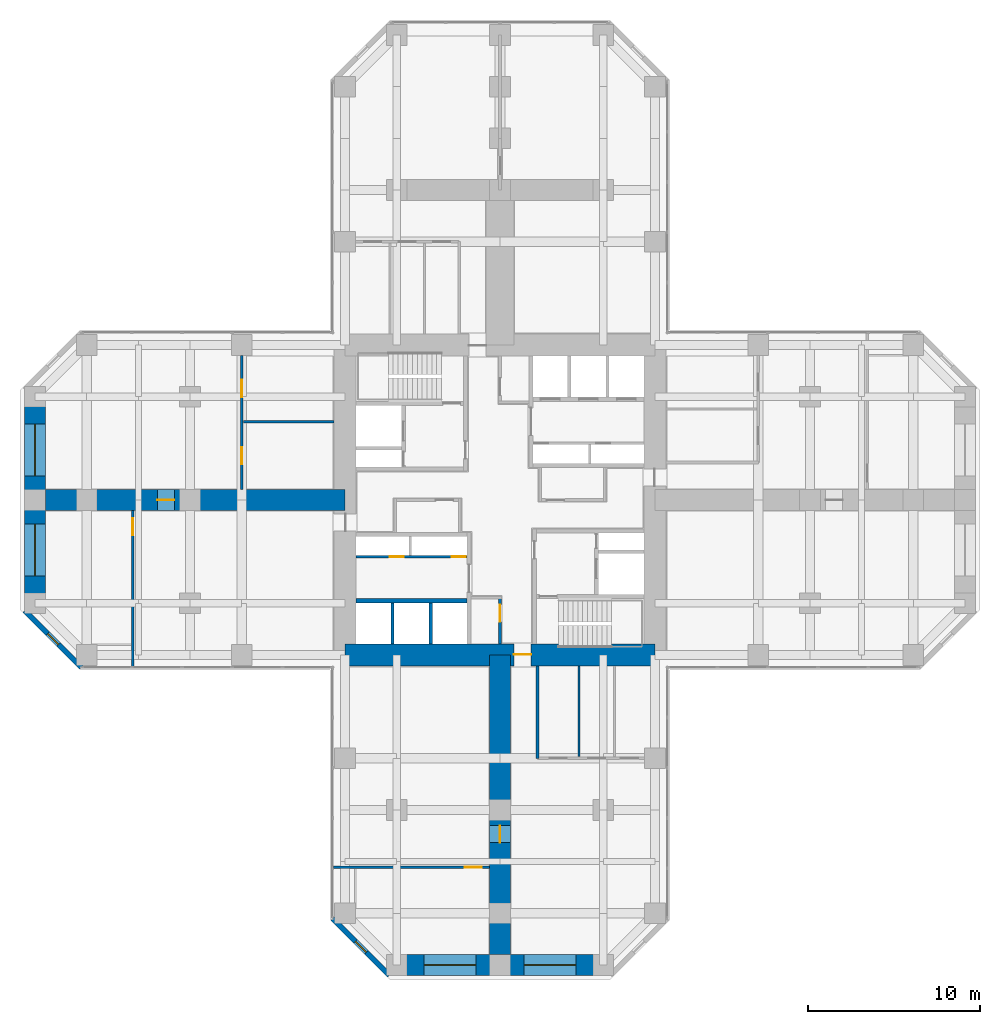
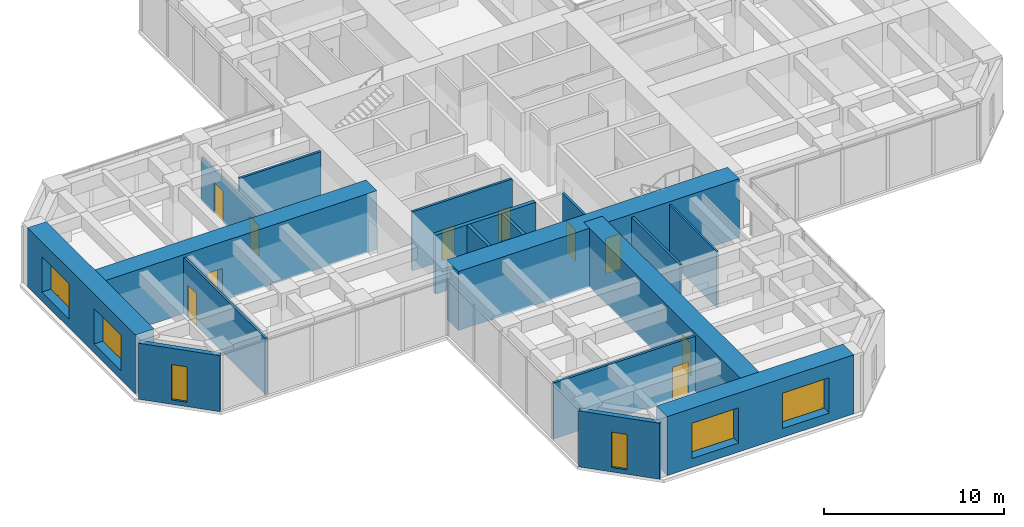
# One storey, part 8 of 12: 18 walls, 10 doors, 6 windows, 16 openings.
"""IFC4 building model written with IfcOpenShell, lengths in metres."""

from ifc_helpers import new_model, si_unit, direction, frame, frame_2d, origin, place, context, subcontext, project, spatial, rectangle, hollow_rectangle, extrude, material, layer, layer_set, constituent, constituent_set, type_object, element, fill, save


model = new_model("IFC4")

# Units and contexts
model_context = context("Model", 3, precision=1e-05, world=origin(), true_north=direction((0.0, 1.0)))
body_context = subcontext(model_context, "Body", "Model", "MODEL_VIEW")
ifc_project = project(units=[si_unit("LENGTHUNIT", "METRE"), si_unit("AREAUNIT", "SQUARE_METRE"), si_unit("VOLUMEUNIT", "CUBIC_METRE"), si_unit("PLANEANGLEUNIT", "RADIAN"), si_unit("MASSUNIT", "GRAM", prefix="KILO")], contexts=[model_context])

# Site, building, storey
site_placement = place(None, origin())
site = spatial("IfcSite", under=ifc_project, at=site_placement, CompositionType="ELEMENT")
building_placement = place(site_placement, origin())
building = spatial("IfcBuilding", under=site, at=building_placement, Name="Torre Cruceta", CompositionType="ELEMENT")
storey_placement = place(building_placement, frame((0.0, 0.0, 63.5)))
storey = spatial("IfcBuildingStorey", under=building, at=storey_placement, Name="L15", CompositionType="ELEMENT", Elevation=63.5)

# Wall
ifc_material_1 = material(Name="Concrete G60 (fck 60 MPa)", Category="concrete")
ifc_layer_1 = layer(ifc_material_1, 0.25)
ifc_layer_set_1 = layer_set([ifc_layer_1], Name="Concrete G60 (fck 60 MPa)")
wall_type_1 = type_object("IfcWallType", Name="CORE INNER WALL 250 G60", PredefinedType="SHEAR", material=ifc_layer_set_1)
wall_1_placement = place(storey_placement, frame((-1.925048828125, -5.85009765625, 0.0), z_axis=(0.0, 0.0, 1.0), x_axis=(-1.0, 0.0, 0.0)))
element("IfcWall", 1, at=wall_1_placement, inside=storey, type_object=wall_type_1, Name="CW4 L15 SW-LV", PredefinedType="SHEAR", context=body_context, shape_type="SweptSolid", body=[
    extrude(rectangle(XDim=6.425048828125, YDim=0.25, at=frame_2d((3.21240234375, 0.0))), origin(), (0.0, 0.0, 1.0), 4.0),
])

# Wall, opening, door
ifc_material_2 = material(Name="Concrete G60 (fck 60 MPa)", Category="concrete")
ifc_layer_2 = layer(ifc_material_2, 1.300048828125)
ifc_layer_set_2 = layer_set([ifc_layer_2], Name="Concrete G60 (fck 60 MPa)")
wall_type_2 = type_object("IfcWallType", Name="CORE WALL 1300 G60", PredefinedType="SHEAR", material=ifc_layer_set_2)
wall_2_placement = place(storey_placement, frame((-9.0, -9.0, 0.0), z_axis=(0.0, 0.0, 1.0), x_axis=(1.0, 0.0, 0.0)))
wall_2 = element("IfcWall", 2, at=wall_2_placement, inside=storey, type_object=wall_type_2, Name="CW1 L15 CW-S", PredefinedType="SHEAR", context=body_context, shape_type="SweptSolid", body=[
    extrude(rectangle(XDim=18.0, YDim=1.300048828125, at=frame_2d((9.0, 0.0))), origin(), (0.0, 0.0, 1.0), 4.0),
])
opening_1_placement = place(wall_2_placement, frame((9.800048828125, 0.0, 0.0)))
opening_1 = element("IfcOpeningElement", 3, at=opening_1_placement, cuts=wall_2, Name="Opening D4", PredefinedType="OPENING", context=body_context, shape_type="SweptSolid", body=[
    extrude(rectangle(XDim=1.0, YDim=2.39990234375, at=frame_2d((0.5, 1.199951171875))), frame((0.0, 0.659912109375, 0.0), z_axis=(0.0, -1.0, 0.0), x_axis=(1.0, 0.0, 0.0)), (0.0, 0.0, 1.0), 1.320068359375),
])
ifc_material_3 = material(Name="Steel DX51D", Category="steel")
ifc_constituent_1 = constituent(ifc_material_3, Name="Leaf and frame")
ifc_material_4 = material(Name="Polyester powder coating", Category="paint")
ifc_constituent_2 = constituent(ifc_material_4, Name="Finish")
ifc_constituent_set_1 = constituent_set(constituents=[ifc_constituent_1, ifc_constituent_2], Name="Steel fire door")
door_type_1 = type_object("IfcDoorType", Name="CORE ARM DOOR 1000X2400", OperationType="SINGLE_SWING_RIGHT", PredefinedType="DOOR", material=ifc_constituent_set_1)
door_1_placement = place(opening_1_placement, frame((1.0, 0.0, 0.0), z_axis=(0.0, 0.0, 1.0), x_axis=(-1.0, 0.0, 0.0)))
door_1 = element("IfcDoor", 4, at=door_1_placement, inside=storey, type_object=door_type_1, Name="D4 L15 CW-S", OperationType="SINGLE_SWING_RIGHT", OverallHeight=2.39990234375, OverallWidth=1.0, PredefinedType="DOOR", context=body_context, shape_type="SweptSolid", body=[
    extrude(rectangle(XDim=1.0, YDim=2.39990234375, at=frame_2d((0.5, 1.199951171875))), frame((0.0, -0.005126953125, 0.0), z_axis=(0.0, -1.0, 0.0), x_axis=(1.0, 0.0, 0.0)), (0.0, 0.0, 1.0), 0.050048828125),
])
fill(opening_1, door_1)

# Wall, opening, window
ifc_material_5 = material(Name="Concrete G30 (fck 30 MPa)", Category="concrete")
ifc_layer_3 = layer(ifc_material_5, 0.300048828125)
ifc_layer_set_3 = layer_set([ifc_layer_3], Name="Concrete G30 (fck 30 MPa)")
wall_type_3 = type_object("IfcWallType", Name="EXPOSED CONCRETE FACADE WALL 300", PredefinedType="SOLIDWALL", material=ifc_layer_set_3)
wall_3_placement = place(storey_placement, frame((-27.60009765625, -6.418212890625, 0.0), z_axis=(0.0, 0.0, 1.0), x_axis=(0.707106781187, -0.707106781187, 0.0)))
wall_3 = element("IfcWall", 5, at=wall_3_placement, inside=storey, type_object=wall_type_3, Name="EW1 facade wall L15 W chamfer 13", PredefinedType="SOLIDWALL", context=body_context, shape_type="SweptSolid", body=[
    extrude(rectangle(XDim=4.66943359375, YDim=0.300048828125, at=frame_2d((2.334716796875, 0.0))), origin(), (0.0, 0.0, 1.0), 3.800048828125),
])
opening_2_placement = place(wall_3_placement, frame((1.884765625, 0.0, 0.300048828125)))
opening_2 = element("IfcOpeningElement", 6, at=opening_2_placement, cuts=wall_3, Name="Opening WN5", PredefinedType="OPENING", context=body_context, shape_type="SweptSolid", body=[
    extrude(rectangle(XDim=0.89990234375, YDim=2.39990234375, at=frame_2d((0.449951171875, 1.199951171875))), frame((0.0, 0.159912109375, 0.0), z_axis=(0.0, -1.0, 0.0), x_axis=(1.0, 0.0, 0.0)), (0.0, 0.0, 1.0), 0.320068359375),
])
ifc_material_6 = material(Name="Aluminium window frame", Category="aluminium")
ifc_constituent_3 = constituent(ifc_material_6, Name="Frame")
ifc_material_7 = material(Name="Laminated insulating glass unit, low-iron clear", Category="glass")
ifc_constituent_4 = constituent(ifc_material_7, Name="Glazing")
ifc_constituent_set_2 = constituent_set(constituents=[ifc_constituent_3, ifc_constituent_4], Name="Aluminium window")
window_type_1 = type_object("IfcWindowType", Name="CHAMFER SLOT WINDOW 900X2400", PartitioningType="SINGLE_PANEL", PredefinedType="WINDOW", material=ifc_constituent_set_2)
window_1_placement = place(opening_2_placement, origin())
window_1 = element("IfcWindow", 7, at=window_1_placement, inside=storey, type_object=window_type_1, Name="WN5 L15 W 1", OverallHeight=2.39990234375, OverallWidth=0.89990234375, PartitioningType="SINGLE_PANEL", PredefinedType="WINDOW", context=body_context, shape_type="SweptSolid", body=[
    extrude(hollow_rectangle(XDim=0.89990234375, YDim=2.39990234375, WallThickness=0.06005859375, at=frame_2d((0.449951171875, 1.199951171875))), frame((0.0, 0.030029296875, 0.0), z_axis=(0.0, -1.0, 0.0), x_axis=(1.0, 0.0, 0.0)), (0.0, 0.0, 1.0), 0.06005859375),
    extrude(rectangle(XDim=0.77880859375, YDim=2.27880859375, at=frame_2d((0.449951171875, 1.199951171875))), frame((0.0, 0.030029296875, 0.0), z_axis=(0.0, -1.0, 0.0), x_axis=(1.0, 0.0, 0.0)), (0.0, 0.0, 1.0), 0.06005859375),
])
fill(opening_2, window_1)

wall_4_placement = place(storey_placement, frame((-9.719970703125, -24.29833984375, 0.0), z_axis=(0.0, 0.0, 1.0), x_axis=(0.707106781187, -0.707106781187, 0.0)))
wall_4 = element("IfcWall", 8, at=wall_4_placement, inside=storey, type_object=wall_type_3, Name="EW1 facade wall L15 S chamfer 16", PredefinedType="SOLIDWALL", context=body_context, shape_type="SweptSolid", body=[
    extrude(rectangle(XDim=4.66943359375, YDim=0.300048828125, at=frame_2d((2.334716796875, 0.0))), origin(), (0.0, 0.0, 1.0), 3.800048828125),
])
opening_3_placement = place(wall_4_placement, frame((1.884765625, 0.0, 0.300048828125)))
opening_3 = element("IfcOpeningElement", 9, at=opening_3_placement, cuts=wall_4, Name="Opening WN5", PredefinedType="OPENING", context=body_context, shape_type="SweptSolid", body=[
    extrude(rectangle(XDim=0.89990234375, YDim=2.39990234375, at=frame_2d((0.449951171875, 1.199951171875))), frame((0.0, 0.159912109375, 0.0), z_axis=(0.0, -1.0, 0.0), x_axis=(1.0, 0.0, 0.0)), (0.0, 0.0, 1.0), 0.320068359375),
])
window_2_placement = place(opening_3_placement, origin())
window_2 = element("IfcWindow", 10, at=window_2_placement, inside=storey, type_object=window_type_1, Name="WN5 L15 S 1", OverallHeight=2.39990234375, OverallWidth=0.89990234375, PartitioningType="SINGLE_PANEL", PredefinedType="WINDOW", context=body_context, shape_type="SweptSolid", body=[
    extrude(hollow_rectangle(XDim=0.89990234375, YDim=2.39990234375, WallThickness=0.06005859375, at=frame_2d((0.449951171875, 1.199951171875))), frame((0.0, 0.030029296875, 0.0), z_axis=(0.0, -1.0, 0.0), x_axis=(1.0, 0.0, 0.0)), (0.0, 0.0, 1.0), 0.06005859375),
    extrude(rectangle(XDim=0.77880859375, YDim=2.27880859375, at=frame_2d((0.449951171875, 1.199951171875))), frame((0.0, 0.030029296875, 0.0), z_axis=(0.0, -1.0, 0.0), x_axis=(1.0, 0.0, 0.0)), (0.0, 0.0, 1.0), 0.06005859375),
])
fill(opening_3, window_2)

# Walls
ifc_material_8 = material(Name="Concrete G35 (fck 35 MPa)", Category="concrete")
ifc_layer_4 = layer(ifc_material_8, 0.199951171875)
ifc_layer_set_4 = layer_set([ifc_layer_4], Name="Concrete G35 (fck 35 MPa)")
wall_type_4 = type_object("IfcWallType", Name="LIFT SHAFT WALL 200", PredefinedType="PARTITIONING", material=ifc_layer_set_4)
for number, where, z_axis, x_axis, name in (
    (11, (-4.033447265625, -5.97509765625, 0.0), (0.0, 0.0, 1.0), (0.0, -1.0, 0.0), "SW1 L15 SW-LS1"),
    (12, (-6.24169921875, -5.97509765625, 0.0), (0.0, 0.0, 1.0), (0.0, -1.0, 0.0), "SW1 L15 SW-LS2"),
):
    element("IfcWall", number, at=place(storey_placement, frame(where, z_axis=z_axis, x_axis=x_axis)), inside=storey, type_object=wall_type_4, Name=name, PredefinedType="PARTITIONING", context=body_context, shape_type="SweptSolid", body=[
        extrude(rectangle(XDim=2.375, YDim=0.199951171875, at=frame_2d((1.1875, 0.0))), origin(), (0.0, 0.0, 1.0), 4.0),
    ])

# Wall, openings, windows
ifc_material_9 = material(Name="Concrete G60 (fck 60 MPa)", Category="concrete")
ifc_layer_5 = layer(ifc_material_9, 1.199951171875)
ifc_layer_set_5 = layer_set([ifc_layer_5], Name="Concrete G60 (fck 60 MPa)")
wall_type_5 = type_object("IfcWallType", Name="NOSE WALL 1200 G60", PredefinedType="SHEAR", material=ifc_layer_set_5)
wall_5_placement = place(storey_placement, frame((-6.0, -27.0, 0.0), z_axis=(0.0, 0.0, 1.0), x_axis=(1.0, 0.0, 0.0)))
wall_5 = element("IfcWall", 13, at=wall_5_placement, inside=storey, type_object=wall_type_5, Name="NW1 nose wall L15 S", PredefinedType="SHEAR", context=body_context, shape_type="SweptSolid", body=[
    extrude(rectangle(XDim=12.0, YDim=1.199951171875, at=frame_2d((6.0, 0.0))), origin(), (0.0, 0.0, 1.0), 4.0),
])
opening_4_placement = place(wall_5_placement, frame((1.60009765625, 0.0, 0.60009765625)))
opening_4 = element("IfcOpeningElement", 14, at=opening_4_placement, cuts=wall_5, Name="Opening WN6", PredefinedType="OPENING", context=body_context, shape_type="SweptSolid", body=[
    extrude(rectangle(XDim=3.0, YDim=2.39990234375, at=frame_2d((1.5, 1.199951171875))), frame((0.0, 0.60986328125, 0.0), z_axis=(0.0, -1.0, 0.0), x_axis=(1.0, 0.0, 0.0)), (0.0, 0.0, 1.0), 1.219970703125),
])
opening_5_placement = place(wall_5_placement, frame((7.39990234375, 0.0, 0.60009765625)))
opening_5 = element("IfcOpeningElement", 15, at=opening_5_placement, cuts=wall_5, Name="Opening WN6", PredefinedType="OPENING", context=body_context, shape_type="SweptSolid", body=[
    extrude(rectangle(XDim=3.0, YDim=2.39990234375, at=frame_2d((1.5, 1.199951171875))), frame((0.0, 0.60986328125, 0.0), z_axis=(0.0, -1.0, 0.0), x_axis=(1.0, 0.0, 0.0)), (0.0, 0.0, 1.0), 1.219970703125),
])
ifc_material_10 = material(Name="Aluminium window frame", Category="aluminium")
ifc_constituent_5 = constituent(ifc_material_10, Name="Frame")
ifc_material_11 = material(Name="Laminated insulating glass unit, low-iron clear", Category="glass")
ifc_constituent_6 = constituent(ifc_material_11, Name="Glazing")
ifc_constituent_set_3 = constituent_set(constituents=[ifc_constituent_5, ifc_constituent_6], Name="Aluminium window")
window_type_2 = type_object("IfcWindowType", Name="NOSE WALL WINDOW 3000X2400", PartitioningType="SINGLE_PANEL", PredefinedType="WINDOW", material=ifc_constituent_set_3)
window_3_placement = place(opening_4_placement, origin())
window_3 = element("IfcWindow", 16, at=window_3_placement, inside=storey, type_object=window_type_2, Name="WN6 L15 S 1", OverallHeight=2.39990234375, OverallWidth=3.0, PartitioningType="SINGLE_PANEL", PredefinedType="WINDOW", context=body_context, shape_type="SweptSolid", body=[
    extrude(hollow_rectangle(XDim=3.0, YDim=2.39990234375, WallThickness=0.06005859375, at=frame_2d((1.5, 1.199951171875))), frame((0.0, 0.030029296875, 0.0), z_axis=(0.0, -1.0, 0.0), x_axis=(1.0, 0.0, 0.0)), (0.0, 0.0, 1.0), 0.06005859375),
    extrude(rectangle(XDim=2.87890625, YDim=2.27880859375, at=frame_2d((1.5, 1.199951171875))), frame((0.0, 0.030029296875, 0.0), z_axis=(0.0, -1.0, 0.0), x_axis=(1.0, 0.0, 0.0)), (0.0, 0.0, 1.0), 0.06005859375),
])
fill(opening_4, window_3)
window_4_placement = place(opening_5_placement, origin())
window_4 = element("IfcWindow", 17, at=window_4_placement, inside=storey, type_object=window_type_2, Name="WN6 L15 S 2", OverallHeight=2.39990234375, OverallWidth=3.0, PartitioningType="SINGLE_PANEL", PredefinedType="WINDOW", context=body_context, shape_type="SweptSolid", body=[
    extrude(hollow_rectangle(XDim=3.0, YDim=2.39990234375, WallThickness=0.06005859375, at=frame_2d((1.5, 1.199951171875))), frame((0.0, 0.030029296875, 0.0), z_axis=(0.0, -1.0, 0.0), x_axis=(1.0, 0.0, 0.0)), (0.0, 0.0, 1.0), 0.06005859375),
    extrude(rectangle(XDim=2.87890625, YDim=2.27880859375, at=frame_2d((1.5, 1.199951171875))), frame((0.0, 0.030029296875, 0.0), z_axis=(0.0, -1.0, 0.0), x_axis=(1.0, 0.0, 0.0)), (0.0, 0.0, 1.0), 0.06005859375),
])
fill(opening_5, window_4)

wall_6_placement = place(storey_placement, frame((-27.0, 6.0, 0.0), z_axis=(0.0, 0.0, 1.0), x_axis=(0.0, -1.0, 0.0)))
wall_6 = element("IfcWall", 18, at=wall_6_placement, inside=storey, type_object=wall_type_5, Name="NW1 nose wall L15 W", PredefinedType="SHEAR", context=body_context, shape_type="SweptSolid", body=[
    extrude(rectangle(XDim=12.0, YDim=1.199951171875, at=frame_2d((6.0, 0.0))), origin(), (0.0, 0.0, 1.0), 4.0),
])
opening_6_placement = place(wall_6_placement, frame((1.60009765625, 0.0, 0.60009765625)))
opening_6 = element("IfcOpeningElement", 19, at=opening_6_placement, cuts=wall_6, Name="Opening WN6", PredefinedType="OPENING", context=body_context, shape_type="SweptSolid", body=[
    extrude(rectangle(XDim=3.0, YDim=2.39990234375, at=frame_2d((1.5, 1.199951171875))), frame((0.0, 0.60986328125, 0.0), z_axis=(0.0, -1.0, 0.0), x_axis=(1.0, 0.0, 0.0)), (0.0, 0.0, 1.0), 1.219970703125),
])
opening_7_placement = place(wall_6_placement, frame((7.39990234375, 0.0, 0.60009765625)))
opening_7 = element("IfcOpeningElement", 20, at=opening_7_placement, cuts=wall_6, Name="Opening WN6", PredefinedType="OPENING", context=body_context, shape_type="SweptSolid", body=[
    extrude(rectangle(XDim=3.0, YDim=2.39990234375, at=frame_2d((1.5, 1.199951171875))), frame((0.0, 0.60986328125, 0.0), z_axis=(0.0, -1.0, 0.0), x_axis=(1.0, 0.0, 0.0)), (0.0, 0.0, 1.0), 1.219970703125),
])
window_5_placement = place(opening_6_placement, origin())
window_5 = element("IfcWindow", 21, at=window_5_placement, inside=storey, type_object=window_type_2, Name="WN6 L15 W 1", OverallHeight=2.39990234375, OverallWidth=3.0, PartitioningType="SINGLE_PANEL", PredefinedType="WINDOW", context=body_context, shape_type="SweptSolid", body=[
    extrude(hollow_rectangle(XDim=3.0, YDim=2.39990234375, WallThickness=0.06005859375, at=frame_2d((1.5, 1.199951171875))), frame((0.0, 0.030029296875, 0.0), z_axis=(0.0, -1.0, 0.0), x_axis=(1.0, 0.0, 0.0)), (0.0, 0.0, 1.0), 0.06005859375),
    extrude(rectangle(XDim=2.87890625, YDim=2.27880859375, at=frame_2d((1.5, 1.199951171875))), frame((0.0, 0.030029296875, 0.0), z_axis=(0.0, -1.0, 0.0), x_axis=(1.0, 0.0, 0.0)), (0.0, 0.0, 1.0), 0.06005859375),
])
fill(opening_6, window_5)
window_6_placement = place(opening_7_placement, origin())
window_6 = element("IfcWindow", 22, at=window_6_placement, inside=storey, type_object=window_type_2, Name="WN6 L15 W 2", OverallHeight=2.39990234375, OverallWidth=3.0, PartitioningType="SINGLE_PANEL", PredefinedType="WINDOW", context=body_context, shape_type="SweptSolid", body=[
    extrude(hollow_rectangle(XDim=3.0, YDim=2.39990234375, WallThickness=0.06005859375, at=frame_2d((1.5, 1.199951171875))), frame((0.0, 0.030029296875, 0.0), z_axis=(0.0, -1.0, 0.0), x_axis=(1.0, 0.0, 0.0)), (0.0, 0.0, 1.0), 0.06005859375),
    extrude(rectangle(XDim=2.87890625, YDim=2.27880859375, at=frame_2d((1.5, 1.199951171875))), frame((0.0, 0.030029296875, 0.0), z_axis=(0.0, -1.0, 0.0), x_axis=(1.0, 0.0, 0.0)), (0.0, 0.0, 1.0), 0.06005859375),
])
fill(opening_7, window_6)

# Wall, opening, door
ifc_material_12 = material(Name="Plasterboard on steel studs", Category="steel")
ifc_layer_6 = layer(ifc_material_12, 0.14990234375)
ifc_layer_set_6 = layer_set([ifc_layer_6], Name="Plasterboard on steel studs")
wall_type_6 = type_object("IfcWallType", Name="PARTITION 150", PredefinedType="PARTITIONING", material=ifc_layer_set_6)
wall_7_placement = place(storey_placement, frame((0.0, -5.675048828125, 0.0), z_axis=(0.0, 0.0, 1.0), x_axis=(0.0, -1.0, 0.0)))
wall_7 = element("IfcWall", 23, at=wall_7_placement, inside=storey, type_object=wall_type_6, Name="PT1 L15-CORE-LEGS-W-W1", PredefinedType="PARTITIONING", context=body_context, shape_type="SweptSolid", body=[
    extrude(rectangle(XDim=2.675048828125, YDim=0.14990234375, at=frame_2d((1.33740234375, 0.0))), origin(), (0.0, 0.0, 1.0), 3.800048828125),
])
opening_8_placement = place(wall_7_placement, frame((0.39990234375, 0.0, 0.0)))
opening_8 = element("IfcOpeningElement", 24, at=opening_8_placement, cuts=wall_7, Name="Opening D3", PredefinedType="OPENING", context=body_context, shape_type="SweptSolid", body=[
    extrude(rectangle(XDim=1.0, YDim=2.10009765625, at=frame_2d((0.5, 1.050048828125))), frame((0.0, 0.0849609375, 0.0), z_axis=(0.0, -1.0, 0.0), x_axis=(1.0, 0.0, 0.0)), (0.0, 0.0, 1.0), 0.169921875),
])
ifc_material_13 = material(Name="Steel DX51D", Category="steel")
ifc_constituent_7 = constituent(ifc_material_13, Name="Leaf and frame")
ifc_material_14 = material(Name="Polyester powder coating", Category="paint")
ifc_constituent_8 = constituent(ifc_material_14, Name="Finish")
ifc_constituent_set_4 = constituent_set(constituents=[ifc_constituent_7, ifc_constituent_8], Name="Steel fire door")
door_type_2 = type_object("IfcDoorType", Name="FIRE DOOR 1000X2100", OperationType="SINGLE_SWING_LEFT", PredefinedType="DOOR", material=ifc_constituent_set_4)
door_2_placement = place(opening_8_placement, frame((1.0, 0.0, 0.0), z_axis=(0.0, 0.0, 1.0), x_axis=(-1.0, 0.0, 0.0)))
door_2 = element("IfcDoor", 25, at=door_2_placement, inside=storey, type_object=door_type_2, Name="D3 L15-CORE-LEGS-W-W1-D1", OperationType="SINGLE_SWING_RIGHT", OverallHeight=2.10009765625, OverallWidth=1.0, PredefinedType="DOOR", context=body_context, shape_type="SweptSolid", body=[
    extrude(rectangle(XDim=1.0, YDim=2.10009765625, at=frame_2d((0.5, 1.050048828125))), frame((0.0, 0.025146484375, 0.0), z_axis=(0.0, -1.0, 0.0), x_axis=(1.0, 0.0, 0.0)), (0.0, 0.0, 1.0), 0.050048828125),
])
fill(opening_8, door_2)

# Wall
wall_8_placement = place(storey_placement, frame((2.175048828125, -9.64990234375, 0.0), z_axis=(0.0, 0.0, 1.0), x_axis=(0.0, -1.0, 0.0)))
element("IfcWall", 26, at=wall_8_placement, inside=storey, type_object=wall_type_6, Name="PT1 L15-S-BSL", PredefinedType="PARTITIONING", context=body_context, shape_type="SweptSolid", body=[
    extrude(rectangle(XDim=5.35009765625, YDim=0.14990234375, at=frame_2d((2.675048828125, 0.0))), origin(), (0.0, 0.0, 1.0), 3.800048828125),
])

# Wall, opening, door
wall_9_placement = place(storey_placement, frame((-9.679931640625, -21.320068359375, 0.0), z_axis=(0.0, 0.0, 1.0), x_axis=(1.0, 0.0, 0.0)))
wall_9 = element("IfcWall", 27, at=wall_9_placement, inside=storey, type_object=wall_type_6, Name="PT1 L15-S-TWR", PredefinedType="PARTITIONING", context=body_context, shape_type="SweptSolid", body=[
    extrude(rectangle(XDim=9.079833984375, YDim=0.14990234375, at=frame_2d((4.5400390625, 0.0))), origin(), (0.0, 0.0, 1.0), 3.800048828125),
])
opening_9_placement = place(wall_9_placement, frame((7.6298828125, 0.0, 0.0)))
opening_9 = element("IfcOpeningElement", 28, at=opening_9_placement, cuts=wall_9, Name="Opening D14", PredefinedType="OPENING", context=body_context, shape_type="SweptSolid", body=[
    extrude(rectangle(XDim=1.0, YDim=2.199951171875, at=frame_2d((0.5, 1.10009765625))), frame((0.0, 0.0849609375, 0.0), z_axis=(0.0, -1.0, 0.0), x_axis=(1.0, 0.0, 0.0)), (0.0, 0.0, 1.0), 0.169921875),
])
ifc_material_15 = material(Name="Steel DX51D", Category="steel")
ifc_constituent_9 = constituent(ifc_material_15, Name="Leaf and frame")
ifc_material_16 = material(Name="Polyester powder coating", Category="paint")
ifc_constituent_10 = constituent(ifc_material_16, Name="Finish")
ifc_material_17 = material(Name="Fire-resisting glass", Category="glass")
ifc_constituent_11 = constituent(ifc_material_17, Name="Vision panel")
ifc_constituent_set_5 = constituent_set(constituents=[ifc_constituent_9, ifc_constituent_10, ifc_constituent_11], Name="Steel fire door with vision panel")
door_type_3 = type_object("IfcDoorType", Name="FIRE DOOR VISION PANEL 1000X2200", OperationType="SINGLE_SWING_RIGHT", PredefinedType="DOOR", material=ifc_constituent_set_5)
door_3_placement = place(opening_9_placement, frame((1.0, 0.0, 0.0), z_axis=(0.0, 0.0, 1.0), x_axis=(-1.0, 0.0, 0.0)))
door_3 = element("IfcDoor", 29, at=door_3_placement, inside=storey, type_object=door_type_3, Name="D14 L15-S-TWR-D1", OperationType="SINGLE_SWING_LEFT", OverallHeight=2.199951171875, OverallWidth=1.0, PredefinedType="DOOR", context=body_context, shape_type="SweptSolid", body=[
    extrude(rectangle(XDim=1.0, YDim=2.199951171875, at=frame_2d((0.5, 1.10009765625))), frame((0.0, 0.025146484375, 0.0), z_axis=(0.0, -1.0, 0.0), x_axis=(1.0, 0.0, 0.0)), (0.0, 0.0, 1.0), 0.050048828125),
])
fill(opening_9, door_3)

# Wall, openings, doors
wall_10_placement = place(storey_placement, frame((-15.0, 8.39990234375, 0.0), z_axis=(0.0, 0.0, 1.0), x_axis=(0.0, -1.0, 0.0)))
wall_10 = element("IfcWall", 30, at=wall_10_placement, inside=storey, type_object=wall_type_6, Name="PT1 L15-W-BFR", PredefinedType="PARTITIONING", context=body_context, shape_type="SweptSolid", body=[
    extrude(rectangle(XDim=7.7998046875, YDim=0.14990234375, at=frame_2d((3.89990234375, 0.0))), origin(), (0.0, 0.0, 1.0), 2.949951171875),
])
opening_10_placement = place(wall_10_placement, frame((1.425048828125, 0.0, 0.0)))
opening_10 = element("IfcOpeningElement", 31, at=opening_10_placement, cuts=wall_10, Name="Opening D3", PredefinedType="OPENING", context=body_context, shape_type="SweptSolid", body=[
    extrude(rectangle(XDim=1.0, YDim=2.10009765625, at=frame_2d((0.5, 1.050048828125))), frame((0.0, 0.0849609375, 0.0), z_axis=(0.0, -1.0, 0.0), x_axis=(1.0, 0.0, 0.0)), (0.0, 0.0, 1.0), 0.169921875),
])
opening_11_placement = place(wall_10_placement, frame((5.324951171875, 0.0, 0.0)))
opening_11 = element("IfcOpeningElement", 32, at=opening_11_placement, cuts=wall_10, Name="Opening D3", PredefinedType="OPENING", context=body_context, shape_type="SweptSolid", body=[
    extrude(rectangle(XDim=1.0, YDim=2.10009765625, at=frame_2d((0.5, 1.050048828125))), frame((0.0, 0.0849609375, 0.0), z_axis=(0.0, -1.0, 0.0), x_axis=(1.0, 0.0, 0.0)), (0.0, 0.0, 1.0), 0.169921875),
])
door_4_placement = place(opening_10_placement, origin())
door_4 = element("IfcDoor", 33, at=door_4_placement, inside=storey, type_object=door_type_2, Name="D3 L15-W-BFR-D1", OperationType="SINGLE_SWING_RIGHT", OverallHeight=2.10009765625, OverallWidth=1.0, PredefinedType="DOOR", context=body_context, shape_type="SweptSolid", body=[
    extrude(rectangle(XDim=1.0, YDim=2.10009765625, at=frame_2d((0.5, 1.050048828125))), frame((0.0, 0.02490234375, 0.0), z_axis=(0.0, -1.0, 0.0), x_axis=(1.0, 0.0, 0.0)), (0.0, 0.0, 1.0), 0.050048828125),
])
fill(opening_10, door_4)
door_5_placement = place(opening_11_placement, origin())
door_5 = element("IfcDoor", 34, at=door_5_placement, inside=storey, type_object=door_type_2, Name="D3 L15-W-BFR-D2", OperationType="SINGLE_SWING_LEFT", OverallHeight=2.10009765625, OverallWidth=1.0, PredefinedType="DOOR", context=body_context, shape_type="SweptSolid", body=[
    extrude(rectangle(XDim=1.0, YDim=2.10009765625, at=frame_2d((0.5, 1.050048828125))), frame((0.0, 0.02490234375, 0.0), z_axis=(0.0, -1.0, 0.0), x_axis=(1.0, 0.0, 0.0)), (0.0, 0.0, 1.0), 0.050048828125),
])
fill(opening_11, door_5)

# Wall
wall_11_placement = place(storey_placement, frame((-9.64990234375, 4.550048828125, 0.0), z_axis=(0.0, 0.0, 1.0), x_axis=(-1.0, 0.0, 0.0)))
element("IfcWall", 35, at=wall_11_placement, inside=storey, type_object=wall_type_6, Name="PT1 L15-W-BDR1", PredefinedType="PARTITIONING", context=body_context, shape_type="SweptSolid", body=[
    extrude(rectangle(XDim=5.25, YDim=0.14990234375, at=frame_2d((2.625, 0.0))), origin(), (0.0, 0.0, 1.0), 3.800048828125),
])

# Wall, opening, door
wall_12_placement = place(storey_placement, frame((-21.320068359375, -0.60009765625, 0.0), z_axis=(0.0, 0.0, 1.0), x_axis=(0.0, -1.0, 0.0)))
wall_12 = element("IfcWall", 36, at=wall_12_placement, inside=storey, type_object=wall_type_6, Name="PT1 L15-W-TWL", PredefinedType="PARTITIONING", context=body_context, shape_type="SweptSolid", body=[
    extrude(rectangle(XDim=9.079833984375, YDim=0.14990234375, at=frame_2d((4.5400390625, 0.0))), origin(), (0.0, 0.0, 1.0), 3.800048828125),
])
opening_12_placement = place(wall_12_placement, frame((0.449951171875, 0.0, 0.0)))
opening_12 = element("IfcOpeningElement", 37, at=opening_12_placement, cuts=wall_12, Name="Opening D14", PredefinedType="OPENING", context=body_context, shape_type="SweptSolid", body=[
    extrude(rectangle(XDim=1.0, YDim=2.199951171875, at=frame_2d((0.5, 1.10009765625))), frame((0.0, 0.0849609375, 0.0), z_axis=(0.0, -1.0, 0.0), x_axis=(1.0, 0.0, 0.0)), (0.0, 0.0, 1.0), 0.169921875),
])
door_6_placement = place(opening_12_placement, frame((1.0, 0.0, 0.0), z_axis=(0.0, 0.0, 1.0), x_axis=(-1.0, 0.0, 0.0)))
door_6 = element("IfcDoor", 38, at=door_6_placement, inside=storey, type_object=door_type_3, Name="D14 L15-W-TWL-D1", OperationType="SINGLE_SWING_RIGHT", OverallHeight=2.199951171875, OverallWidth=1.0, PredefinedType="DOOR", context=body_context, shape_type="SweptSolid", body=[
    extrude(rectangle(XDim=1.0, YDim=2.199951171875, at=frame_2d((0.5, 1.10009765625))), frame((0.0, 0.025146484375, 0.0), z_axis=(0.0, -1.0, 0.0), x_axis=(1.0, 0.0, 0.0)), (0.0, 0.0, 1.0), 0.050048828125),
])
fill(opening_12, door_6)

# Wall, openings, doors
ifc_material_18 = material(Name="Concrete block masonry", Category="masonry")
ifc_layer_7 = layer(ifc_material_18, 0.14990234375)
ifc_layer_set_7 = layer_set([ifc_layer_7], Name="Concrete block masonry")
wall_type_7 = type_object("IfcWallType", Name="RISER WALL 150", PredefinedType="PARTITIONING", material=ifc_layer_set_7)
wall_13_placement = place(storey_placement, frame((-1.925048828125, -3.300048828125, 0.0), z_axis=(0.0, 0.0, 1.0), x_axis=(-1.0, 0.0, 0.0)))
wall_13 = element("IfcWall", 39, at=wall_13_placement, inside=storey, type_object=wall_type_7, Name="SW7 L15 SW-RV", PredefinedType="PARTITIONING", context=body_context, shape_type="SweptSolid", body=[
    extrude(rectangle(XDim=6.425048828125, YDim=0.14990234375, at=frame_2d((3.21240234375, 0.0))), origin(), (0.0, 0.0, 1.0), 4.0),
])
opening_13_placement = place(wall_13_placement, frame((0.074951171875, 0.0, 0.0)))
opening_13 = element("IfcOpeningElement", 40, at=opening_13_placement, cuts=wall_13, Name="Opening D5", PredefinedType="OPENING", context=body_context, shape_type="SweptSolid", body=[
    extrude(rectangle(XDim=0.800048828125, YDim=2.10009765625, at=frame_2d((0.39990234375, 1.050048828125))), frame((0.0, 0.0849609375, 0.0), z_axis=(0.0, -1.0, 0.0), x_axis=(1.0, 0.0, 0.0)), (0.0, 0.0, 1.0), 0.169921875),
])
opening_14_placement = place(wall_13_placement, frame((3.675048828125, 0.0, 0.0)))
opening_14 = element("IfcOpeningElement", 41, at=opening_14_placement, cuts=wall_13, Name="Opening D5", PredefinedType="OPENING", context=body_context, shape_type="SweptSolid", body=[
    extrude(rectangle(XDim=0.800048828125, YDim=2.10009765625, at=frame_2d((0.39990234375, 1.050048828125))), frame((0.0, 0.0849609375, 0.0), z_axis=(0.0, -1.0, 0.0), x_axis=(1.0, 0.0, 0.0)), (0.0, 0.0, 1.0), 0.169921875),
])
ifc_material_19 = material(Name="Steel DX51D", Category="steel")
ifc_constituent_12 = constituent(ifc_material_19, Name="Leaf and frame")
ifc_material_20 = material(Name="Polyester powder coating", Category="paint")
ifc_constituent_13 = constituent(ifc_material_20, Name="Finish")
ifc_constituent_set_6 = constituent_set(constituents=[ifc_constituent_12, ifc_constituent_13], Name="Steel fire door")
door_type_4 = type_object("IfcDoorType", Name="RISER ACCESS DOOR 800X2100", OperationType="SINGLE_SWING_LEFT", PredefinedType="DOOR", material=ifc_constituent_set_6)
door_7_placement = place(opening_13_placement, frame((0.800048828125, 0.0, 0.0), z_axis=(0.0, 0.0, 1.0), x_axis=(-1.0, 0.0, 0.0)))
door_7 = element("IfcDoor", 42, at=door_7_placement, inside=storey, type_object=door_type_4, Name="D5 L15 SW-RISER1", OperationType="SINGLE_SWING_RIGHT", OverallHeight=2.10009765625, OverallWidth=0.800048828125, PredefinedType="DOOR", context=body_context, shape_type="SweptSolid", body=[
    extrude(rectangle(XDim=0.800048828125, YDim=2.10009765625, at=frame_2d((0.400146484375, 1.050048828125))), frame((0.0, 0.025146484375, 0.0), z_axis=(0.0, -1.0, 0.0), x_axis=(1.0, 0.0, 0.0)), (0.0, 0.0, 1.0), 0.050048828125),
])
fill(opening_13, door_7)
door_8_placement = place(opening_14_placement, frame((0.800048828125, 0.0, 0.0), z_axis=(0.0, 0.0, 1.0), x_axis=(-1.0, 0.0, 0.0)))
door_8 = element("IfcDoor", 43, at=door_8_placement, inside=storey, type_object=door_type_4, Name="D5 L15 SW-RISER2", OperationType="SINGLE_SWING_RIGHT", OverallHeight=2.10009765625, OverallWidth=0.800048828125, PredefinedType="DOOR", context=body_context, shape_type="SweptSolid", body=[
    extrude(rectangle(XDim=0.800048828125, YDim=2.10009765625, at=frame_2d((0.400146484375, 1.050048828125))), frame((0.0, 0.025146484375, 0.0), z_axis=(0.0, -1.0, 0.0), x_axis=(1.0, 0.0, 0.0)), (0.0, 0.0, 1.0), 0.050048828125),
])
fill(opening_14, door_8)

# Wall, opening, door
ifc_material_21 = material(Name="Concrete G60 (fck 60 MPa)", Category="concrete")
ifc_layer_8 = layer(ifc_material_21, 1.199951171875)
ifc_layer_set_8 = layer_set([ifc_layer_8], Name="Concrete G60 (fck 60 MPa)")
wall_type_8 = type_object("IfcWallType", Name="SPINE WALL 1200 G60", PredefinedType="SHEAR", material=ifc_layer_set_8)
wall_14_placement = place(storey_placement, frame((0.0, -9.0, 0.0), z_axis=(0.0, 0.0, 1.0), x_axis=(0.0, -1.0, 0.0)))
wall_14 = element("IfcWall", 44, at=wall_14_placement, inside=storey, type_object=wall_type_8, Name="SW3 spine wall L15 S", PredefinedType="SHEAR", context=body_context, shape_type="SweptSolid", body=[
    extrude(rectangle(XDim=18.0, YDim=1.199951171875, at=frame_2d((9.0, 0.0))), origin(), (0.0, 0.0, 1.0), 4.0),
])
opening_15_placement = place(wall_14_placement, frame((9.89990234375, 0.0, 0.0)))
opening_15 = element("IfcOpeningElement", 45, at=opening_15_placement, cuts=wall_14, Name="Opening D14", PredefinedType="OPENING", context=body_context, shape_type="SweptSolid", body=[
    extrude(rectangle(XDim=1.0, YDim=2.199951171875, at=frame_2d((0.5, 1.10009765625))), frame((0.0, 0.60986328125, 0.0), z_axis=(0.0, -1.0, 0.0), x_axis=(1.0, 0.0, 0.0)), (0.0, 0.0, 1.0), 1.219970703125),
])
door_9_placement = place(opening_15_placement, frame((1.0, 0.0, 0.0), z_axis=(0.0, 0.0, 1.0), x_axis=(-1.0, 0.0, 0.0)))
door_9 = element("IfcDoor", 46, at=door_9_placement, inside=storey, type_object=door_type_3, Name="D14 L15-S-SP1", OperationType="SINGLE_SWING_LEFT", OverallHeight=2.199951171875, OverallWidth=1.0, PredefinedType="DOOR", context=body_context, shape_type="SweptSolid", body=[
    extrude(rectangle(XDim=1.0, YDim=2.199951171875, at=frame_2d((0.5, 1.10009765625))), frame((0.0, 0.025146484375, 0.0), z_axis=(0.0, -1.0, 0.0), x_axis=(1.0, 0.0, 0.0)), (0.0, 0.0, 1.0), 0.050048828125),
])
fill(opening_15, door_9)

wall_15_placement = place(storey_placement, frame((-9.0, 0.0, 0.0), z_axis=(0.0, 0.0, 1.0), x_axis=(-1.0, 0.0, 0.0)))
wall_15 = element("IfcWall", 47, at=wall_15_placement, inside=storey, type_object=wall_type_8, Name="SW3 spine wall L15 W", PredefinedType="SHEAR", context=body_context, shape_type="SweptSolid", body=[
    extrude(rectangle(XDim=18.0, YDim=1.199951171875, at=frame_2d((9.0, 0.0))), origin(), (0.0, 0.0, 1.0), 4.0),
])
opening_16_placement = place(wall_15_placement, frame((9.89990234375, 0.0, 0.0)))
opening_16 = element("IfcOpeningElement", 48, at=opening_16_placement, cuts=wall_15, Name="Opening D14", PredefinedType="OPENING", context=body_context, shape_type="SweptSolid", body=[
    extrude(rectangle(XDim=1.0, YDim=2.199951171875, at=frame_2d((0.5, 1.10009765625))), frame((0.0, 0.60986328125, 0.0), z_axis=(0.0, -1.0, 0.0), x_axis=(1.0, 0.0, 0.0)), (0.0, 0.0, 1.0), 1.219970703125),
])
door_10_placement = place(opening_16_placement, frame((1.0, 0.0, 0.0), z_axis=(0.0, 0.0, 1.0), x_axis=(-1.0, 0.0, 0.0)))
door_10 = element("IfcDoor", 49, at=door_10_placement, inside=storey, type_object=door_type_3, Name="D14 L15-W-SP1", OperationType="SINGLE_SWING_RIGHT", OverallHeight=2.199951171875, OverallWidth=1.0, PredefinedType="DOOR", context=body_context, shape_type="SweptSolid", body=[
    extrude(rectangle(XDim=1.0, YDim=2.199951171875, at=frame_2d((0.5, 1.10009765625))), frame((0.0, 0.025146484375, 0.0), z_axis=(0.0, -1.0, 0.0), x_axis=(1.0, 0.0, 0.0)), (0.0, 0.0, 1.0), 0.050048828125),
])
fill(opening_16, door_10)

# Wall
ifc_material_22 = material(Name="Plasterboard on steel studs", Category="steel")
ifc_layer_9 = layer(ifc_material_22, 0.1201171875)
ifc_layer_set_9 = layer_set([ifc_layer_9], Name="Plasterboard on steel studs")
wall_type_9 = type_object("IfcWallType", Name="WC PARTITION 120", PredefinedType="PLUMBINGWALL", material=ifc_layer_set_9)
wall_16_placement = place(storey_placement, frame((4.574951171875, -9.64990234375, 0.0), z_axis=(0.0, 0.0, 1.0), x_axis=(0.0, -1.0, 0.0)))
element("IfcWall", 50, at=wall_16_placement, inside=storey, type_object=wall_type_9, Name="PT5 L15-S-BDL1", PredefinedType="PLUMBINGWALL", context=body_context, shape_type="SweptSolid", body=[
    extrude(rectangle(XDim=5.25, YDim=0.1201171875, at=frame_2d((2.625, 0.0))), origin(), (0.0, 0.0, 1.0), 3.800048828125),
])

save(model, "model.ifc")
